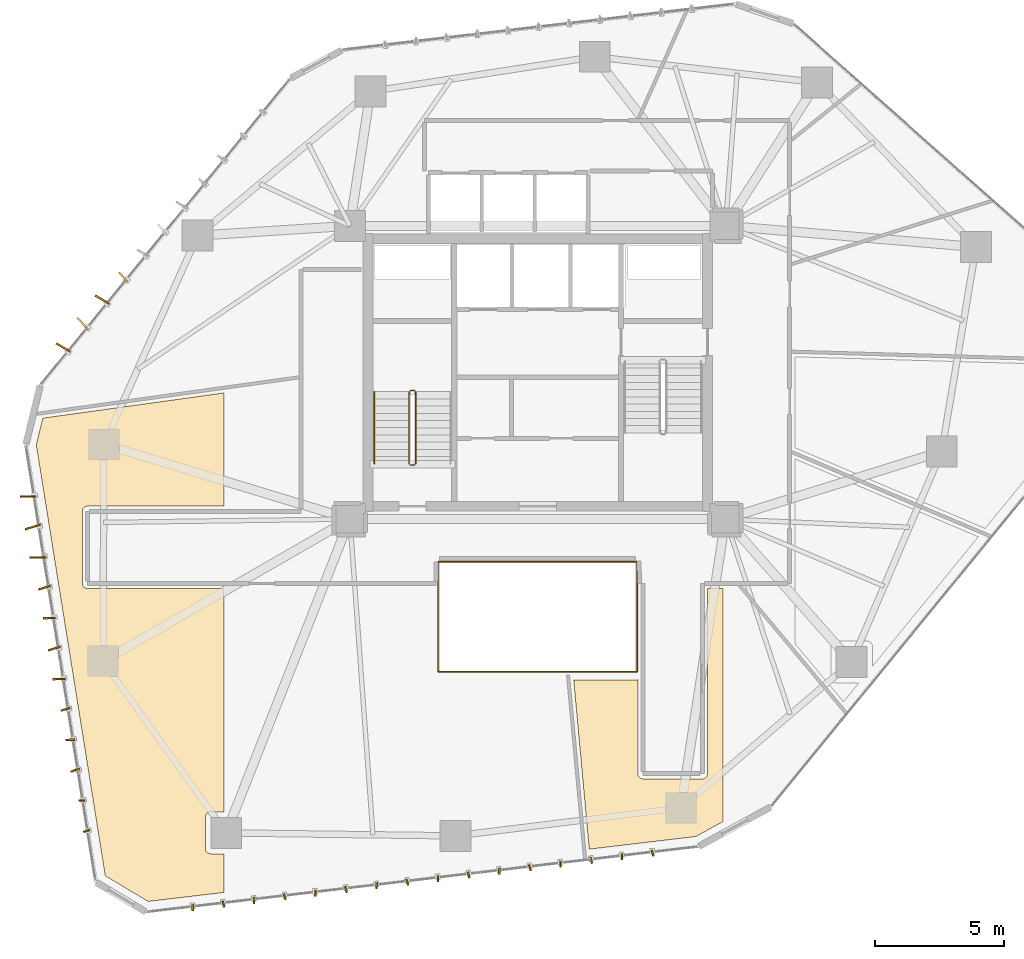
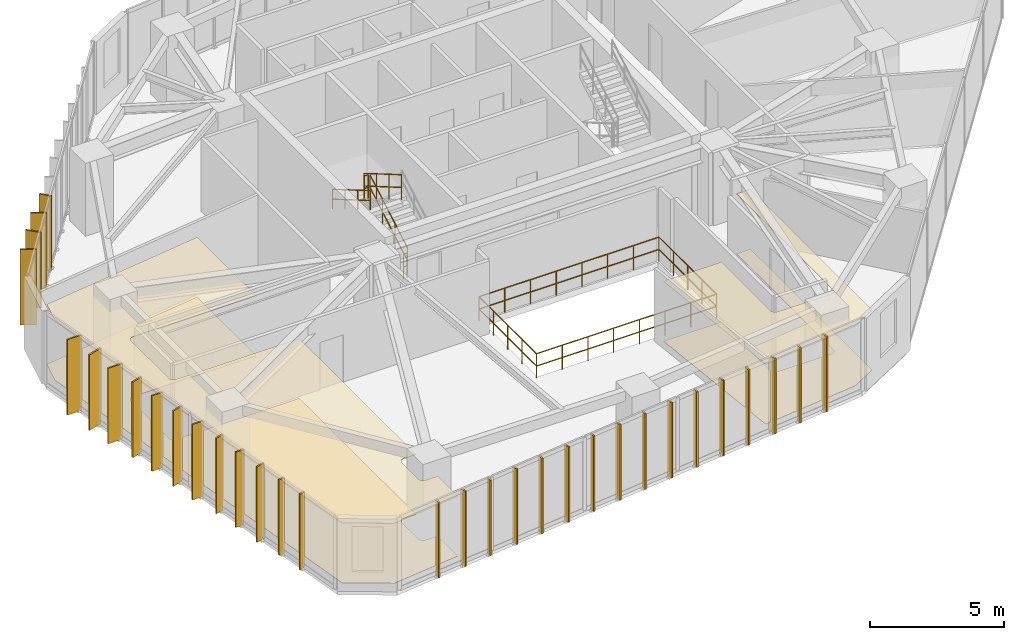
# One storey, part 22 of 24: 32 shading devices, 9 railings, 4 coverings.
"""IFC4 building model written with IfcOpenShell, lengths in metres."""

from ifc_helpers import new_model, si_unit, direction, frame, origin, origin_2d, place, context, subcontext, project, spatial, polyline, rectangle, circle, outline, extrude, source, transform, mapped, material, layer, layer_set, type_object, type_shapes, element, save


model = new_model("IFC4")

# Units and contexts
model_context = context("Model", 3, precision=1e-05, world=origin(), true_north=direction((0.0, 1.0)))
body_context = subcontext(model_context, "Body", "Model", "MODEL_VIEW")
ifc_project = project(units=[si_unit("LENGTHUNIT", "METRE"), si_unit("AREAUNIT", "SQUARE_METRE"), si_unit("VOLUMEUNIT", "CUBIC_METRE"), si_unit("PLANEANGLEUNIT", "RADIAN"), si_unit("MASSUNIT", "GRAM", prefix="KILO")], contexts=[model_context])

# Site, building, storey
site_placement = place(None, origin())
site = spatial("IfcSite", under=ifc_project, at=site_placement, CompositionType="ELEMENT")
building_placement = place(site_placement, origin())
building = spatial("IfcBuilding", under=site, at=building_placement, Name="Talar Marvaseh", CompositionType="ELEMENT")
storey_placement = place(building_placement, frame((0.0, 0.0, 111.0)))
storey = spatial("IfcBuildingStorey", under=building, at=storey_placement, Name="L28", CompositionType="ELEMENT", Elevation=111.0)

# Railings
ifc_material_1 = material(Name="Stainless Steel Grade 316", Category="steel")
railing_type_1 = type_object("IfcRailingType", Name="Brushed Stainless Wall Pitch Handrail 900", PredefinedType="HANDRAIL", material=ifc_material_1)
railing_1_placement = place(storey_placement, frame((19.64990234375, 30.449951171875, 1.963623046875)))
element("IfcRailing", 1, at=railing_1_placement, inside=storey, type_object=railing_type_1, Name="L28 ST-1 stair handrail 2", PredefinedType="HANDRAIL", context=body_context, shape_type="SweptSolid", body=[
    extrude(circle(Radius=0.02392578125, at=origin_2d()), frame((0.0, 0.0, 0.8759765625), z_axis=(0.0, -0.863360870873, 0.504586966384), x_axis=(1.0, 0.0, 0.0)), (0.0, 0.0, 1.0), 3.2431640625),
    extrude(circle(Radius=0.02392578125, at=origin_2d()), frame((0.0, 0.0, 0.42578125), z_axis=(0.0, -0.863360870873, 0.504586966384), x_axis=(1.0, 0.0, 0.0)), (0.0, 0.0, 1.0), 3.2431640625),
    extrude(circle(Radius=0.02099609375, at=origin_2d()), origin(), (0.0, 0.0, 1.0), 0.851806640625),
    extrude(circle(Radius=0.02099609375, at=origin_2d()), frame((0.0, -0.933349609375, 0.54541015625)), (0.0, 0.0, 1.0), 0.851806640625),
    extrude(circle(Radius=0.02099609375, at=origin_2d()), frame((0.0, -1.86669921875, 1.091064453125)), (0.0, 0.0, 1.0), 0.851806640625),
    extrude(circle(Radius=0.02099609375, at=origin_2d()), frame((0.0, -2.800048828125, 1.636474609375)), (0.0, 0.0, 1.0), 0.851806640625),
])
ifc_material_2 = material(Name="Tempered Clear Glass", Category="glass")
railing_type_2 = type_object("IfcRailingType", Name="Interior Atrium Edge Balustrade 1120", PredefinedType="BALUSTRADE", material=ifc_material_2)
railing_2_placement = place(storey_placement, frame((22.1298828125, 19.561279296875, 0.0)))
element("IfcRailing", 2, at=railing_2_placement, inside=storey, type_object=railing_type_2, Name="L28 Internal Daylight Atrium Balustrade 1", PredefinedType="BALUSTRADE", context=body_context, shape_type="SweptSolid", body=[
    extrude(circle(Radius=0.02392578125, at=origin_2d()), frame((0.0, 0.0, 1.09619140625), z_axis=(1.0, 0.0, 0.0), x_axis=(0.0, 1.0, 0.0)), (0.0, 0.0, 1.0), 7.740234375),
    extrude(circle(Radius=0.02392578125, at=origin_2d()), frame((0.0, 0.0, 0.5361328125), z_axis=(1.0, 0.0, 0.0), x_axis=(0.0, 1.0, 0.0)), (0.0, 0.0, 1.0), 7.740234375),
    extrude(circle(Radius=0.02099609375, at=origin_2d()), origin(), (0.0, 0.0, 1.0), 1.072021484375),
    extrude(circle(Radius=0.02099609375, at=origin_2d()), frame((1.105712890625, 0.0, 0.0)), (0.0, 0.0, 1.0), 1.072021484375),
    extrude(circle(Radius=0.02099609375, at=origin_2d()), frame((2.21142578125, 0.0, 0.0)), (0.0, 0.0, 1.0), 1.072021484375),
    extrude(circle(Radius=0.02099609375, at=origin_2d()), frame((3.317138671875, 0.0, 0.0)), (0.0, 0.0, 1.0), 1.072021484375),
    extrude(circle(Radius=0.02099609375, at=origin_2d()), frame((4.423095703125, 0.0, 0.0)), (0.0, 0.0, 1.0), 1.072021484375),
    extrude(circle(Radius=0.02099609375, at=origin_2d()), frame((5.52880859375, 0.0, 0.0)), (0.0, 0.0, 1.0), 1.072021484375),
    extrude(circle(Radius=0.02099609375, at=origin_2d()), frame((6.634521484375, 0.0, 0.0)), (0.0, 0.0, 1.0), 1.072021484375),
    extrude(circle(Radius=0.02099609375, at=origin_2d()), frame((7.740234375, 0.0, 0.0)), (0.0, 0.0, 1.0), 1.072021484375),
])
railing_3_placement = place(storey_placement, frame((29.8701171875, 19.561279296875, 0.0)))
element("IfcRailing", 3, at=railing_3_placement, inside=storey, type_object=railing_type_2, Name="L28 Internal Daylight Atrium Balustrade 2", PredefinedType="BALUSTRADE", context=body_context, shape_type="SweptSolid", body=[
    extrude(circle(Radius=0.02392578125, at=origin_2d()), frame((0.0, 0.0, 1.09619140625), z_axis=(0.0, 1.0, 0.0), x_axis=(-1.0, 0.0, 0.0)), (0.0, 0.0, 1.0), 4.27734375),
    extrude(circle(Radius=0.02392578125, at=origin_2d()), frame((0.0, 0.0, 0.5361328125), z_axis=(0.0, 1.0, 0.0), x_axis=(-1.0, 0.0, 0.0)), (0.0, 0.0, 1.0), 4.27734375),
    extrude(circle(Radius=0.02099609375, at=origin_2d()), origin(), (0.0, 0.0, 1.0), 1.072021484375),
    extrude(circle(Radius=0.02099609375, at=origin_2d()), frame((0.0, 1.0693359375, 0.0)), (0.0, 0.0, 1.0), 1.072021484375),
    extrude(circle(Radius=0.02099609375, at=origin_2d()), frame((0.0, 2.138671875, 0.0)), (0.0, 0.0, 1.0), 1.072021484375),
    extrude(circle(Radius=0.02099609375, at=origin_2d()), frame((0.0, 3.2080078125, 0.0)), (0.0, 0.0, 1.0), 1.072021484375),
    extrude(circle(Radius=0.02099609375, at=origin_2d()), frame((0.0, 4.27734375, 0.0)), (0.0, 0.0, 1.0), 1.072021484375),
])
railing_4_placement = place(storey_placement, frame((29.8701171875, 23.838623046875, 0.0)))
element("IfcRailing", 4, at=railing_4_placement, inside=storey, type_object=railing_type_2, Name="L28 Internal Daylight Atrium Balustrade 3", PredefinedType="BALUSTRADE", context=body_context, shape_type="SweptSolid", body=[
    extrude(circle(Radius=0.02392578125, at=origin_2d()), frame((0.0, 0.0, 1.09619140625), z_axis=(-1.0, 0.0, 0.0), x_axis=(0.0, -1.0, 0.0)), (0.0, 0.0, 1.0), 7.740234375),
    extrude(circle(Radius=0.02392578125, at=origin_2d()), frame((0.0, 0.0, 0.5361328125), z_axis=(-1.0, 0.0, 0.0), x_axis=(0.0, -1.0, 0.0)), (0.0, 0.0, 1.0), 7.740234375),
    extrude(circle(Radius=0.02099609375, at=origin_2d()), origin(), (0.0, 0.0, 1.0), 1.072021484375),
    extrude(circle(Radius=0.02099609375, at=origin_2d()), frame((-1.105712890625, 0.0, 0.0)), (0.0, 0.0, 1.0), 1.072021484375),
    extrude(circle(Radius=0.02099609375, at=origin_2d()), frame((-2.21142578125, 0.0, 0.0)), (0.0, 0.0, 1.0), 1.072021484375),
    extrude(circle(Radius=0.02099609375, at=origin_2d()), frame((-3.317138671875, 0.0, 0.0)), (0.0, 0.0, 1.0), 1.072021484375),
    extrude(circle(Radius=0.02099609375, at=origin_2d()), frame((-4.423095703125, 0.0, 0.0)), (0.0, 0.0, 1.0), 1.072021484375),
    extrude(circle(Radius=0.02099609375, at=origin_2d()), frame((-5.52880859375, 0.0, 0.0)), (0.0, 0.0, 1.0), 1.072021484375),
    extrude(circle(Radius=0.02099609375, at=origin_2d()), frame((-6.634521484375, 0.0, 0.0)), (0.0, 0.0, 1.0), 1.072021484375),
    extrude(circle(Radius=0.02099609375, at=origin_2d()), frame((-7.740234375, 0.0, 0.0)), (0.0, 0.0, 1.0), 1.072021484375),
])
railing_5_placement = place(storey_placement, frame((22.1298828125, 23.838623046875, 0.0)))
element("IfcRailing", 5, at=railing_5_placement, inside=storey, type_object=railing_type_2, Name="L28 Internal Daylight Atrium Balustrade 4", PredefinedType="BALUSTRADE", context=body_context, shape_type="SweptSolid", body=[
    extrude(circle(Radius=0.02392578125, at=origin_2d()), frame((0.0, 0.0, 1.09619140625), z_axis=(0.0, -1.0, 0.0), x_axis=(1.0, 0.0, 0.0)), (0.0, 0.0, 1.0), 4.27734375),
    extrude(circle(Radius=0.02392578125, at=origin_2d()), frame((0.0, 0.0, 0.5361328125), z_axis=(0.0, -1.0, 0.0), x_axis=(1.0, 0.0, 0.0)), (0.0, 0.0, 1.0), 4.27734375),
    extrude(circle(Radius=0.02099609375, at=origin_2d()), origin(), (0.0, 0.0, 1.0), 1.072021484375),
    extrude(circle(Radius=0.02099609375, at=origin_2d()), frame((0.0, -1.0693359375, 0.0)), (0.0, 0.0, 1.0), 1.072021484375),
    extrude(circle(Radius=0.02099609375, at=origin_2d()), frame((0.0, -2.138671875, 0.0)), (0.0, 0.0, 1.0), 1.072021484375),
    extrude(circle(Radius=0.02099609375, at=origin_2d()), frame((0.0, -3.2080078125, 0.0)), (0.0, 0.0, 1.0), 1.072021484375),
    extrude(circle(Radius=0.02099609375, at=origin_2d()), frame((0.0, -4.27734375, 0.0)), (0.0, 0.0, 1.0), 1.072021484375),
])
railing_type_3 = type_object("IfcRailingType", Name="Painted Steel Core Stair Well Guardrail 1150", PredefinedType="GUARDRAIL", material=ifc_material_1)
railing_6_placement = place(storey_placement, frame((21.260009765625, 27.64990234375, 0.16357421875)))
element("IfcRailing", 6, at=railing_6_placement, inside=storey, type_object=railing_type_3, Name="L28 ST-1 stair guard 1", PredefinedType="GUARDRAIL", context=body_context, shape_type="SweptSolid", body=[
    extrude(circle(Radius=0.02392578125, at=origin_2d()), frame((0.0, 0.0, 1.1259765625), z_axis=(0.0, 0.863360870873, 0.504586966384), x_axis=(-1.0, 0.0, 0.0)), (0.0, 0.0, 1.0), 3.2431640625),
    extrude(circle(Radius=0.02392578125, at=origin_2d()), frame((0.0, 0.0, 0.55078125), z_axis=(0.0, 0.863360870873, 0.504586966384), x_axis=(-1.0, 0.0, 0.0)), (0.0, 0.0, 1.0), 3.2431640625),
    extrude(circle(Radius=0.02099609375, at=origin_2d()), origin(), (0.0, 0.0, 1.0), 1.101806640625),
    extrude(circle(Radius=0.02099609375, at=origin_2d()), frame((0.0, 0.933349609375, 0.54541015625)), (0.0, 0.0, 1.0), 1.101806640625),
    extrude(circle(Radius=0.02099609375, at=origin_2d()), frame((0.0, 1.86669921875, 1.091064453125)), (0.0, 0.0, 1.0), 1.101806640625),
    extrude(circle(Radius=0.02099609375, at=origin_2d()), frame((0.0, 2.800048828125, 1.636474609375)), (0.0, 0.0, 1.0), 1.101806640625),
])
railing_7_placement = place(storey_placement, frame((21.2099609375, 30.5, 1.800048828125)))
element("IfcRailing", 7, at=railing_7_placement, inside=storey, type_object=railing_type_3, Name="L28 ST-1 stair guard 2", PredefinedType="GUARDRAIL", context=body_context, shape_type="SweptSolid", body=[
    extrude(circle(Radius=0.02392578125, at=origin_2d()), frame((0.0, 0.0, 1.1259765625), z_axis=(-1.0, 0.0, 0.0), x_axis=(0.0, -1.0, 0.0)), (0.0, 0.0, 1.0), 0.159912109375),
    extrude(circle(Radius=0.02392578125, at=origin_2d()), frame((0.0, 0.0, 0.55078125), z_axis=(-1.0, 0.0, 0.0), x_axis=(0.0, -1.0, 0.0)), (0.0, 0.0, 1.0), 0.159912109375),
    extrude(circle(Radius=0.02099609375, at=origin_2d()), origin(), (0.0, 0.0, 1.0), 1.101806640625),
    extrude(circle(Radius=0.02099609375, at=origin_2d()), frame((-0.159912109375, 0.0, 0.0)), (0.0, 0.0, 1.0), 1.101806640625),
])
railing_8_placement = place(storey_placement, frame((21.0, 30.449951171875, 1.963623046875)))
element("IfcRailing", 8, at=railing_8_placement, inside=storey, type_object=railing_type_3, Name="L28 ST-1 stair guard 3", PredefinedType="GUARDRAIL", context=body_context, shape_type="SweptSolid", body=[
    extrude(circle(Radius=0.02392578125, at=origin_2d()), frame((0.0, 0.0, 1.1259765625), z_axis=(0.0, -0.863360870873, 0.504586966384), x_axis=(1.0, 0.0, 0.0)), (0.0, 0.0, 1.0), 3.2431640625),
    extrude(circle(Radius=0.02392578125, at=origin_2d()), frame((0.0, 0.0, 0.55078125), z_axis=(0.0, -0.863360870873, 0.504586966384), x_axis=(1.0, 0.0, 0.0)), (0.0, 0.0, 1.0), 3.2431640625),
    extrude(circle(Radius=0.02099609375, at=origin_2d()), origin(), (0.0, 0.0, 1.0), 1.101806640625),
    extrude(circle(Radius=0.02099609375, at=origin_2d()), frame((0.0, -0.933349609375, 0.54541015625)), (0.0, 0.0, 1.0), 1.101806640625),
    extrude(circle(Radius=0.02099609375, at=origin_2d()), frame((0.0, -1.86669921875, 1.091064453125)), (0.0, 0.0, 1.0), 1.101806640625),
    extrude(circle(Radius=0.02099609375, at=origin_2d()), frame((0.0, -2.800048828125, 1.636474609375)), (0.0, 0.0, 1.0), 1.101806640625),
])
railing_9_placement = place(storey_placement, frame((21.2099609375, 27.60009765625, 0.0)))
element("IfcRailing", 9, at=railing_9_placement, inside=storey, type_object=railing_type_3, Name="L28 ST-1 stair guard 4", PredefinedType="GUARDRAIL", context=body_context, shape_type="SweptSolid", body=[
    extrude(circle(Radius=0.02392578125, at=origin_2d()), frame((0.0, 0.0, 1.1259765625), z_axis=(-1.0, 0.0, 0.0), x_axis=(0.0, -1.0, 0.0)), (0.0, 0.0, 1.0), 0.159912109375),
    extrude(circle(Radius=0.02392578125, at=origin_2d()), frame((0.0, 0.0, 0.55078125), z_axis=(-1.0, 0.0, 0.0), x_axis=(0.0, -1.0, 0.0)), (0.0, 0.0, 1.0), 0.159912109375),
    extrude(circle(Radius=0.02099609375, at=origin_2d()), origin(), (0.0, 0.0, 1.0), 1.101806640625),
    extrude(circle(Radius=0.02099609375, at=origin_2d()), frame((-0.159912109375, 0.0, 0.0)), (0.0, 0.0, 1.0), 1.101806640625),
])

# Coverings
ifc_material_3 = material(Name="Mineral Fibre Acoustic Ceiling")
ifc_layer_1 = layer(ifc_material_3, 0.02490234375)
ifc_layer_set_1 = layer_set([ifc_layer_1], Name="Mineral Fibre Acoustic Ceiling")
covering_type_1 = type_object("IfcCoveringType", Name="Perforated Mineral Fibre Acoustic Suspended Ceiling", PredefinedType="CEILING", material=ifc_layer_set_1)
covering_1_placement = place(storey_placement, frame((0.0, 0.0, 2.719970703125)))
element("IfcCovering", 10, at=covering_1_placement, inside=storey, type_object=covering_type_1, Name="L28 Curatorial Office Acoustic Ceiling", PredefinedType="CEILING", context=body_context, shape_type="SweptSolid", body=[
    extrude(outline(polyline([(6.761474609375, 29.42529296875), (13.800048828125, 30.4033203125), (13.800048828125, 26.0), (8.5, 26.0), (8.48046875, 25.9990234375), (8.4609375, 25.99609375), (8.44189453125, 25.991455078125), (8.423583984375, 25.98486328125), (8.40576171875, 25.976318359375), (8.388916015625, 25.96630859375), (8.373046875, 25.95458984375), (8.358642578125, 25.94140625), (8.345458984375, 25.927001953125), (8.333740234375, 25.9111328125), (8.323486328125, 25.894287109375), (8.315185546875, 25.87646484375), (8.30859375, 25.858154296875), (8.3037109375, 25.839111328125), (8.301025390625, 25.819580078125), (8.300048828125, 25.800048828125), (8.300048828125, 23.0), (8.301025390625, 22.98046875), (8.3037109375, 22.9609375), (8.30859375, 22.94189453125), (8.315185546875, 22.923583984375), (8.323486328125, 22.90576171875), (8.333740234375, 22.888916015625), (8.345458984375, 22.873046875), (8.358642578125, 22.858642578125), (8.373046875, 22.845458984375), (8.388916015625, 22.833740234375), (8.40576171875, 22.823486328125), (8.423583984375, 22.815185546875), (8.44189453125, 22.80859375), (8.4609375, 22.8037109375), (8.48046875, 22.801025390625), (8.5, 22.800048828125), (13.800048828125, 22.800048828125), (13.800048828125, 14.111572265625), (13.27978515625, 14.109619140625), (13.260009765625, 14.108642578125), (13.24072265625, 14.105712890625), (13.2216796875, 14.100830078125), (13.203369140625, 14.09423828125), (13.185791015625, 14.085693359375), (13.1689453125, 14.07568359375), (13.1533203125, 14.06396484375), (13.138671875, 14.05078125), (13.12548828125, 14.0361328125), (13.114013671875, 14.0205078125), (13.10400390625, 14.003662109375), (13.095703125, 13.986083984375), (13.089111328125, 13.967529296875), (13.084228515625, 13.948486328125), (13.081298828125, 13.92919921875), (13.080322265625, 13.90966796875), (13.080322265625, 12.6884765625), (13.081298828125, 12.668701171875), (13.084228515625, 12.6494140625), (13.089111328125, 12.63037109375), (13.095703125, 12.61181640625), (13.10400390625, 12.593994140625), (13.114013671875, 12.577392578125), (13.125732421875, 12.5615234375), (13.138916015625, 12.547119140625), (13.153564453125, 12.53369140625), (13.169189453125, 12.522216796875), (13.18603515625, 12.511962890625), (13.203857421875, 12.503662109375), (13.222412109375, 12.4970703125), (13.241455078125, 12.4921875), (13.2607421875, 12.489501953125), (13.280517578125, 12.48828125), (13.800048828125, 12.48828125), (13.800048828125, 10.982666015625), (10.85791015625, 10.634033203125), (9.190185546875, 11.629150390625), (6.50830078125, 28.38037109375), (6.761474609375, 29.42529296875)])), origin(), (0.0, 0.0, 1.0), 0.025146484375),
])
covering_2_placement = place(storey_placement, frame((0.0, 0.0, 2.719970703125)))
element("IfcCovering", 11, at=covering_2_placement, inside=storey, type_object=covering_type_1, Name="L28 Gallery Concierge Reception Acoustic Ceiling", PredefinedType="CEILING", context=body_context, shape_type="SweptSolid", body=[
    extrude(outline(polyline([(29.90087890625, 15.580322265625), (29.90380859375, 15.56103515625), (29.90869140625, 15.5419921875), (29.915283203125, 15.5234375), (29.923583984375, 15.505615234375), (29.93359375, 15.489013671875), (29.9453125, 15.47314453125), (29.95849609375, 15.45849609375), (29.97314453125, 15.4453125), (29.989013671875, 15.43359375), (30.005615234375, 15.423583984375), (30.0234375, 15.415283203125), (30.0419921875, 15.40869140625), (30.06103515625, 15.40380859375), (30.080322265625, 15.40087890625), (30.10009765625, 15.39990234375), (32.39990234375, 15.39990234375), (32.419677734375, 15.40087890625), (32.43896484375, 15.40380859375), (32.4580078125, 15.40869140625), (32.4765625, 15.415283203125), (32.494384765625, 15.423583984375), (32.510986328125, 15.43359375), (32.52685546875, 15.4453125), (32.54150390625, 15.45849609375), (32.5546875, 15.47314453125), (32.56640625, 15.489013671875), (32.576416015625, 15.505615234375), (32.584716796875, 15.5234375), (32.59130859375, 15.5419921875), (32.59619140625, 15.56103515625), (32.59912109375, 15.580322265625), (32.60009765625, 15.60009765625), (32.60009765625, 22.800048828125), (33.199951171875, 22.800048828125), (33.199951171875, 13.73583984375), (32.144775390625, 13.15673828125), (28.006103515625, 12.66650390625), (27.401611328125, 19.239990234375), (29.800048828125, 19.239990234375), (29.819580078125, 19.240966796875), (29.839111328125, 19.243896484375), (29.89990234375, 19.256103515625), (29.89990234375, 15.60009765625), (29.90087890625, 15.580322265625)])), origin(), (0.0, 0.0, 1.0), 0.025146484375),
])
ifc_material_4 = material(Name="Porcelain Stoneware Tile", Category="masonry")
ifc_layer_2 = layer(ifc_material_4, 0.02001953125)
ifc_layer_set_2 = layer_set([ifc_layer_2], Name="Porcelain Stoneware Tile")
covering_type_2 = type_object("IfcCoveringType", Name="Polished Porcelain Stoneware Gallery Flooring", PredefinedType="FLOORING", material=ifc_layer_set_2)
covering_3_placement = place(storey_placement, origin())
element("IfcCovering", 12, at=covering_3_placement, inside=storey, type_object=covering_type_2, Name="L28 Curatorial Office Flooring", PredefinedType="FLOORING", context=body_context, shape_type="SweptSolid", body=[
    extrude(outline(polyline([(6.761474609375, 29.42529296875), (13.800048828125, 30.4033203125), (13.800048828125, 26.0), (8.5, 26.0), (8.48046875, 25.9990234375), (8.4609375, 25.99609375), (8.44189453125, 25.991455078125), (8.423583984375, 25.98486328125), (8.40576171875, 25.976318359375), (8.388916015625, 25.96630859375), (8.373046875, 25.95458984375), (8.358642578125, 25.94140625), (8.345458984375, 25.927001953125), (8.333740234375, 25.9111328125), (8.323486328125, 25.894287109375), (8.315185546875, 25.87646484375), (8.30859375, 25.858154296875), (8.3037109375, 25.839111328125), (8.301025390625, 25.819580078125), (8.300048828125, 25.800048828125), (8.300048828125, 23.0), (8.301025390625, 22.98046875), (8.3037109375, 22.9609375), (8.30859375, 22.94189453125), (8.315185546875, 22.923583984375), (8.323486328125, 22.90576171875), (8.333740234375, 22.888916015625), (8.345458984375, 22.873046875), (8.358642578125, 22.858642578125), (8.373046875, 22.845458984375), (8.388916015625, 22.833740234375), (8.40576171875, 22.823486328125), (8.423583984375, 22.815185546875), (8.44189453125, 22.80859375), (8.4609375, 22.8037109375), (8.48046875, 22.801025390625), (8.5, 22.800048828125), (13.800048828125, 22.800048828125), (13.800048828125, 14.111572265625), (13.27978515625, 14.109619140625), (13.260009765625, 14.108642578125), (13.24072265625, 14.105712890625), (13.2216796875, 14.100830078125), (13.203369140625, 14.09423828125), (13.185791015625, 14.085693359375), (13.1689453125, 14.07568359375), (13.1533203125, 14.06396484375), (13.138671875, 14.05078125), (13.12548828125, 14.0361328125), (13.114013671875, 14.0205078125), (13.10400390625, 14.003662109375), (13.095703125, 13.986083984375), (13.089111328125, 13.967529296875), (13.084228515625, 13.948486328125), (13.081298828125, 13.92919921875), (13.080322265625, 13.90966796875), (13.080322265625, 12.6884765625), (13.081298828125, 12.668701171875), (13.084228515625, 12.6494140625), (13.089111328125, 12.63037109375), (13.095703125, 12.61181640625), (13.10400390625, 12.593994140625), (13.114013671875, 12.577392578125), (13.125732421875, 12.5615234375), (13.138916015625, 12.547119140625), (13.153564453125, 12.53369140625), (13.169189453125, 12.522216796875), (13.18603515625, 12.511962890625), (13.203857421875, 12.503662109375), (13.222412109375, 12.4970703125), (13.241455078125, 12.4921875), (13.2607421875, 12.489501953125), (13.280517578125, 12.48828125), (13.800048828125, 12.48828125), (13.800048828125, 10.982666015625), (10.85791015625, 10.634033203125), (9.190185546875, 11.629150390625), (6.50830078125, 28.38037109375), (6.761474609375, 29.42529296875)])), origin(), (0.0, 0.0, 1.0), 0.02001953125),
])
covering_4_placement = place(storey_placement, origin())
element("IfcCovering", 13, at=covering_4_placement, inside=storey, type_object=covering_type_2, Name="L28 Gallery Concierge Reception Flooring", PredefinedType="FLOORING", context=body_context, shape_type="SweptSolid", body=[
    extrude(outline(polyline([(29.90087890625, 15.580322265625), (29.90380859375, 15.56103515625), (29.90869140625, 15.5419921875), (29.915283203125, 15.5234375), (29.923583984375, 15.505615234375), (29.93359375, 15.489013671875), (29.9453125, 15.47314453125), (29.95849609375, 15.45849609375), (29.97314453125, 15.4453125), (29.989013671875, 15.43359375), (30.005615234375, 15.423583984375), (30.0234375, 15.415283203125), (30.0419921875, 15.40869140625), (30.06103515625, 15.40380859375), (30.080322265625, 15.40087890625), (30.10009765625, 15.39990234375), (32.39990234375, 15.39990234375), (32.419677734375, 15.40087890625), (32.43896484375, 15.40380859375), (32.4580078125, 15.40869140625), (32.4765625, 15.415283203125), (32.494384765625, 15.423583984375), (32.510986328125, 15.43359375), (32.52685546875, 15.4453125), (32.54150390625, 15.45849609375), (32.5546875, 15.47314453125), (32.56640625, 15.489013671875), (32.576416015625, 15.505615234375), (32.584716796875, 15.5234375), (32.59130859375, 15.5419921875), (32.59619140625, 15.56103515625), (32.59912109375, 15.580322265625), (32.60009765625, 15.60009765625), (32.60009765625, 22.800048828125), (33.199951171875, 22.800048828125), (33.199951171875, 13.73583984375), (32.144775390625, 13.15673828125), (28.006103515625, 12.66650390625), (27.401611328125, 19.239990234375), (29.800048828125, 19.239990234375), (29.819580078125, 19.240966796875), (29.839111328125, 19.243896484375), (29.89990234375, 19.256103515625), (29.89990234375, 15.60009765625), (29.90087890625, 15.580322265625)])), origin(), (0.0, 0.0, 1.0), 0.02001953125),
])

# Shading devices
ifc_material_5 = material(Name="Anodised Champagne Bronze Aluminium", Category="aluminium")
ifc_layer_3 = layer(ifc_material_5, 0.06494140625)
ifc_layer_set_3 = layer_set([ifc_layer_3], Name="Anodised Champagne Bronze Aluminium")
shading_device_type_1 = type_object("IfcShadingDeviceType", Name="Sawtooth Champagne Bronze Vertical Fin 240", PredefinedType="USERDEFINED", material=ifc_layer_set_3)
shared_shape_1 = source(origin(), body_context, "Body", "SweptSolid", [
    extrude(rectangle(XDim=0.239990234375, YDim=0.06494140625, at=origin_2d()), origin(), (0.0, 0.0, 1.0), 3.429931640625),
])
type_shapes(shading_device_type_1, [shared_shape_1])
for number, where, z_axis, x_axis, name in (
    (14, (8.46044921875, 13.372802734375, -0.1201171875), (0.0, 0.0, 1.0), (-0.955793014798, -0.294040325232, 0.0), "L28 Sawtooth Vertical Solar Fin"),
    (15, (8.270751953125, 14.5576171875, -0.1201171875), (0.0, 0.0, 1.0), (-0.999815712122, -0.0191974424, 0.0), "L28 Sawtooth Vertical Solar Fin"),
    (16, (30.466552734375, 12.509765625, -0.1201171875), (0.0, 0.0, 1.0), (0.254770725683, -0.967001487762, 0.0), "L28 Sawtooth Vertical Solar Fin"),
    (17, (29.27490234375, 12.36865234375, -0.1201171875), (0.0, 0.0, 1.0), (-0.021640393312, -0.999765819268, 0.0), "L28 Sawtooth Vertical Solar Fin"),
    (18, (28.083251953125, 12.227294921875, -0.1201171875), (0.0, 0.0, 1.0), (0.254770725683, -0.967001487762, 0.0), "L28 Sawtooth Vertical Solar Fin"),
    (19, (26.8916015625, 12.086181640625, -0.1201171875), (0.0, 0.0, 1.0), (-0.021640393312, -0.999765819268, 0.0), "L28 Sawtooth Vertical Solar Fin"),
    (20, (25.699951171875, 11.94482421875, -0.1201171875), (0.0, 0.0, 1.0), (0.254770725683, -0.967001487762, 0.0), "L28 Sawtooth Vertical Solar Fin"),
    (21, (24.50830078125, 11.8037109375, -0.1201171875), (0.0, 0.0, 1.0), (-0.021640393312, -0.999765819268, 0.0), "L28 Sawtooth Vertical Solar Fin"),
    (22, (23.31640625, 11.66259765625, -0.1201171875), (0.0, 0.0, 1.0), (0.254770725683, -0.967001487762, 0.0), "L28 Sawtooth Vertical Solar Fin"),
    (23, (22.125, 11.521240234375, -0.1201171875), (0.0, 0.0, 1.0), (-0.021640393312, -0.999765819268, 0.0), "L28 Sawtooth Vertical Solar Fin"),
    (24, (20.93310546875, 11.3798828125, -0.1201171875), (0.0, 0.0, 1.0), (0.254770725683, -0.967001487762, 0.0), "L28 Sawtooth Vertical Solar Fin"),
    (25, (19.74169921875, 11.23876953125, -0.1201171875), (0.0, 0.0, 1.0), (-0.021640393312, -0.999765819268, 0.0), "L28 Sawtooth Vertical Solar Fin"),
    (26, (18.5498046875, 11.09765625, -0.1201171875), (0.0, 0.0, 1.0), (0.254770725683, -0.967001487762, 0.0), "L28 Sawtooth Vertical Solar Fin"),
    (27, (17.358154296875, 10.956298828125, -0.1201171875), (0.0, 0.0, 1.0), (-0.021640393312, -0.999765819268, 0.0), "L28 Sawtooth Vertical Solar Fin"),
    (28, (16.16650390625, 10.815185546875, -0.1201171875), (0.0, 0.0, 1.0), (0.254770725683, -0.967001487762, 0.0), "L28 Sawtooth Vertical Solar Fin"),
    (29, (14.974853515625, 10.673828125, -0.1201171875), (0.0, 0.0, 1.0), (-0.021640393312, -0.999765819268, 0.0), "L28 Sawtooth Vertical Solar Fin"),
    (30, (13.783203125, 10.53271484375, -0.1201171875), (0.0, 0.0, 1.0), (0.254770725683, -0.967001487762, 0.0), "L28 Sawtooth Vertical Solar Fin"),
    (31, (12.591552734375, 10.391357421875, -0.1201171875), (0.0, 0.0, 1.0), (-0.021640393312, -0.999765819268, 0.0), "L28 Sawtooth Vertical Solar Fin"),
):
    element("IfcShadingDevice", number, at=place(storey_placement, frame(where, z_axis=z_axis, x_axis=x_axis)), inside=storey, type_object=shading_device_type_1, Name=name, ObjectType="FIN", PredefinedType="USERDEFINED", context=body_context, shape_type="MappedRepresentation", body=[
        mapped(shared_shape_1, transform((0.0, 0.0, 0.0), x_axis=(1.0, 0.0, 0.0), y_axis=(0.0, 1.0, 0.0), z_axis=(0.0, 0.0, 1.0), scale=1.0)),
    ])
ifc_layer_4 = layer(ifc_material_5, 0.06494140625)
ifc_layer_set_4 = layer_set([ifc_layer_4], Name="Anodised Champagne Bronze Aluminium")
shading_device_type_2 = type_object("IfcShadingDeviceType", Name="Sawtooth Champagne Bronze Vertical Fin 360", PredefinedType="USERDEFINED", material=ifc_layer_set_4)
shared_shape_2 = source(origin(), body_context, "Body", "SweptSolid", [
    extrude(rectangle(XDim=0.360107421875, YDim=0.06494140625, at=origin_2d()), origin(), (0.0, 0.0, 1.0), 3.429931640625),
])
type_shapes(shading_device_type_2, [shared_shape_2])
for number, where, z_axis, x_axis, name in (
    (32, (8.021728515625, 15.73291015625, -0.1201171875), (0.0, 0.0, 1.0), (-0.955793014798, -0.294040325232, 0.0), "L28 Sawtooth Vertical Solar Fin"),
    (33, (7.83203125, 16.91796875, -0.1201171875), (0.0, 0.0, 1.0), (-0.999815712122, -0.0191974424, 0.0), "L28 Sawtooth Vertical Solar Fin"),
    (34, (7.642333984375, 18.102783203125, -0.1201171875), (0.0, 0.0, 1.0), (-0.955793014798, -0.294040325232, 0.0), "L28 Sawtooth Vertical Solar Fin"),
):
    element("IfcShadingDevice", number, at=place(storey_placement, frame(where, z_axis=z_axis, x_axis=x_axis)), inside=storey, type_object=shading_device_type_2, Name=name, ObjectType="FIN", PredefinedType="USERDEFINED", context=body_context, shape_type="MappedRepresentation", body=[
        mapped(shared_shape_2, transform((0.0, 0.0, 0.0), x_axis=(1.0, 0.0, 0.0), y_axis=(0.0, 1.0, 0.0), z_axis=(0.0, 0.0, 1.0), scale=1.0)),
    ])
ifc_layer_5 = layer(ifc_material_5, 0.06494140625)
ifc_layer_set_5 = layer_set([ifc_layer_5], Name="Anodised Champagne Bronze Aluminium")
shading_device_type_3 = type_object("IfcShadingDeviceType", Name="Sawtooth Champagne Bronze Vertical Fin 480", PredefinedType="USERDEFINED", material=ifc_layer_set_5)
shared_shape_3 = source(origin(), body_context, "Body", "SweptSolid", [
    extrude(rectangle(XDim=0.47998046875, YDim=0.06494140625, at=origin_2d()), origin(), (0.0, 0.0, 1.0), 3.429931640625),
])
type_shapes(shading_device_type_3, [shared_shape_3])
for number, where, z_axis, x_axis, name in (
    (35, (7.393310546875, 19.2783203125, -0.1201171875), (0.0, 0.0, 1.0), (-0.999815712122, -0.0191974424, 0.0), "L28 Sawtooth Vertical Solar Fin"),
    (36, (7.20361328125, 20.463134765625, -0.1201171875), (0.0, 0.0, 1.0), (-0.955793014798, -0.294040325232, 0.0), "L28 Sawtooth Vertical Solar Fin"),
    (37, (7.013916015625, 21.648193359375, -0.1201171875), (0.0, 0.0, 1.0), (-0.999815712122, -0.0191974424, 0.0), "L28 Sawtooth Vertical Solar Fin"),
    (38, (6.82421875, 22.8330078125, -0.1201171875), (0.0, 0.0, 1.0), (-0.955793014798, -0.294040325232, 0.0), "L28 Sawtooth Vertical Solar Fin"),
    (39, (9.884033203125, 34.91552734375, -0.1201171875), (0.0, 0.0, 1.0), (-0.679697382902, 0.73349265005, 0.0), "L28 Sawtooth Vertical Solar Fin"),
):
    element("IfcShadingDevice", number, at=place(storey_placement, frame(where, z_axis=z_axis, x_axis=x_axis)), inside=storey, type_object=shading_device_type_3, Name=name, ObjectType="FIN", PredefinedType="USERDEFINED", context=body_context, shape_type="MappedRepresentation", body=[
        mapped(shared_shape_3, transform((0.0, 0.0, 0.0), x_axis=(1.0, 0.0, 0.0), y_axis=(0.0, 1.0, 0.0), z_axis=(0.0, 0.0, 1.0), scale=1.0)),
    ])
ifc_layer_6 = layer(ifc_material_5, 0.06494140625)
ifc_layer_set_6 = layer_set([ifc_layer_6], Name="Anodised Champagne Bronze Aluminium")
shading_device_type_4 = type_object("IfcShadingDeviceType", Name="Sawtooth Champagne Bronze Vertical Fin 620", PredefinedType="USERDEFINED", material=ifc_layer_set_6)
shared_shape_4 = source(origin(), body_context, "Body", "SweptSolid", [
    extrude(rectangle(XDim=0.6201171875, YDim=0.06494140625, at=origin_2d()), origin(), (0.0, 0.0, 1.0), 3.429931640625),
])
type_shapes(shading_device_type_4, [shared_shape_4])
for number, where, z_axis, x_axis, name in (
    (40, (6.5654296875, 24.0068359375, -0.1201171875), (0.0, 0.0, 1.0), (-0.999815712122, -0.0191974424, 0.0), "L28 Sawtooth Vertical Solar Fin"),
    (41, (6.37548828125, 25.19189453125, -0.1201171875), (0.0, 0.0, 1.0), (-0.955793014798, -0.294040325232, 0.0), "L28 Sawtooth Vertical Solar Fin"),
    (42, (6.185791015625, 26.376708984375, -0.1201171875), (0.0, 0.0, 1.0), (-0.999815712122, -0.0191974424, 0.0), "L28 Sawtooth Vertical Solar Fin"),
    (43, (7.555419921875, 32.169189453125, -0.1201171875), (0.0, 0.0, 1.0), (-0.855545033584, 0.517728399366, 0.0), "L28 Sawtooth Vertical Solar Fin"),
    (44, (8.3134765625, 33.099365234375, -0.1201171875), (0.0, 0.0, 1.0), (-0.679697382902, 0.73349265005, 0.0), "L28 Sawtooth Vertical Solar Fin"),
    (45, (9.071533203125, 34.029541015625, -0.1201171875), (0.0, 0.0, 1.0), (-0.855545033584, 0.517728399366, 0.0), "L28 Sawtooth Vertical Solar Fin"),
):
    element("IfcShadingDevice", number, at=place(storey_placement, frame(where, z_axis=z_axis, x_axis=x_axis)), inside=storey, type_object=shading_device_type_4, Name=name, ObjectType="FIN", PredefinedType="USERDEFINED", context=body_context, shape_type="MappedRepresentation", body=[
        mapped(shared_shape_4, transform((0.0, 0.0, 0.0), x_axis=(1.0, 0.0, 0.0), y_axis=(0.0, 1.0, 0.0), z_axis=(0.0, 0.0, 1.0), scale=1.0)),
    ])

save(model, "model.ifc")
